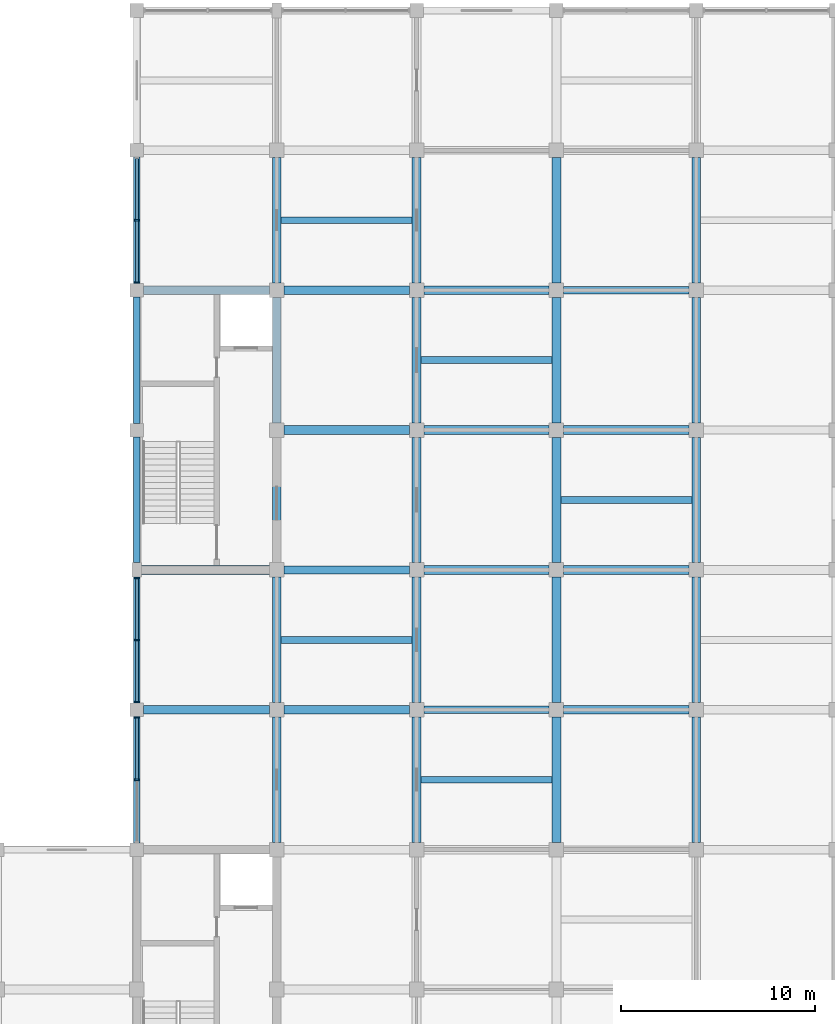
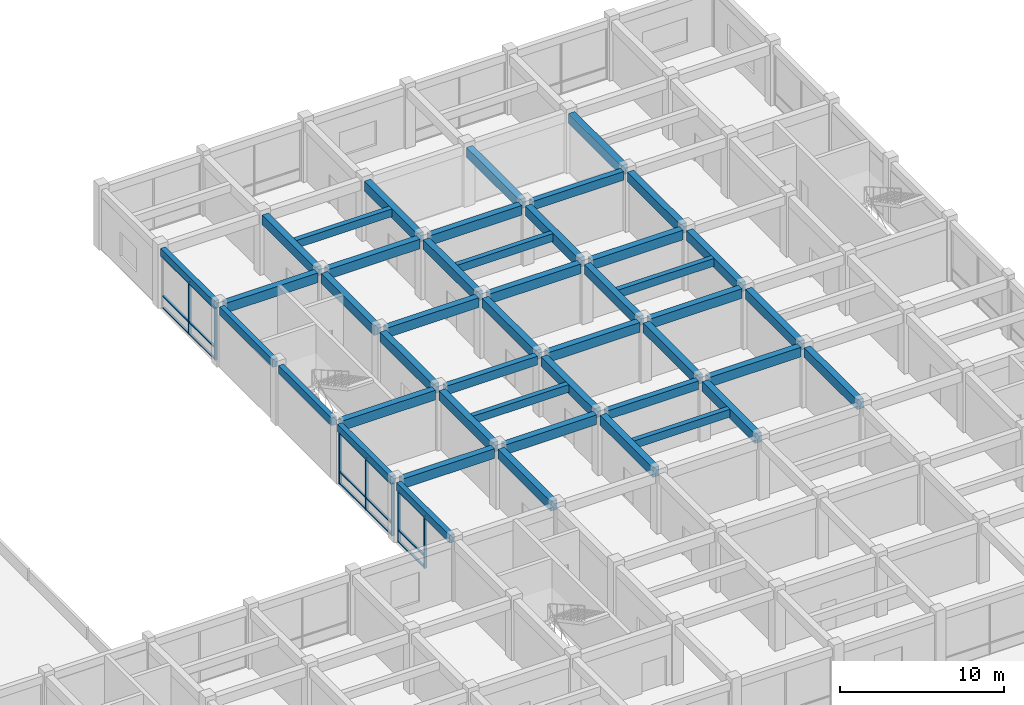
# One storey, part 9 of 30: 45 beams, 22 members, 3 elements without a shape of their own.
"""IFC4 building model written with IfcOpenShell, lengths in metres."""

from ifc_helpers import new_model, si_unit, direction, frame, origin, origin_2d, place, context, subcontext, project, spatial, rectangle, extrude, material, layer, layer_set, material_profile, profile_set, type_object, element, aggregate, save


model = new_model("IFC4")

# Units and contexts
model_context = context("Model", 3, precision=1e-05, world=origin(), true_north=direction((0.0, 1.0)))
body_context = subcontext(model_context, "Body", "Model", "MODEL_VIEW")
ifc_project = project(units=[si_unit("LENGTHUNIT", "METRE"), si_unit("AREAUNIT", "SQUARE_METRE"), si_unit("VOLUMEUNIT", "CUBIC_METRE"), si_unit("PLANEANGLEUNIT", "RADIAN"), si_unit("MASSUNIT", "GRAM", prefix="KILO")], contexts=[model_context])

# Site, building, storey
site_placement = place(None, origin())
site = spatial("IfcSite", under=ifc_project, at=site_placement, CompositionType="ELEMENT")
building_placement = place(site_placement, origin())
building = spatial("IfcBuilding", under=site, at=building_placement, Name="Cendaluz Park School", CompositionType="ELEMENT")
storey_placement = place(building_placement, frame((0.0, 0.0, 9.60009765625)))
storey = spatial("IfcBuildingStorey", under=building, at=storey_placement, Name="L02", CompositionType="ELEMENT", Elevation=9.60009765625)

# Beams
ifc_material_1 = material(Name="Concrete C40/50", Category="concrete")
ifc_material_profile_1 = material_profile(ifc_material_1, rectangle(XDim=0.449951171875, YDim=0.719970703125, at=origin_2d()), Name="RC 450x720", Category="concrete")
ifc_profile_set_1 = profile_set([ifc_material_profile_1], Name="Concrete C40/50")
beam_type_1 = type_object("IfcBeamType", Name="BM-RC02", PredefinedType="BEAM", material=ifc_profile_set_1)
beam_1_placement = place(storey_placement, frame((65.14990234375, 36.0, 4.099853515625), z_axis=(1.0, 0.0, 0.0), x_axis=(0.0, 1.0, 0.0)))
element("IfcBeam", 1, at=beam_1_placement, inside=storey, type_object=beam_type_1, Name="BM-L02-BMRC02-0039", PredefinedType="BEAM", context=body_context, shape_type="SweptSolid", body=[
    extrude(rectangle(XDim=0.449951171875, YDim=0.719970703125, at=origin_2d()), origin(), (0.0, 0.0, 1.0), 6.47509765625),
])
beam_2_placement = place(storey_placement, frame((65.050048828125, 43.199951171875, 4.099853515625), z_axis=(1.0, 0.0, 0.0), x_axis=(0.0, 1.0, 0.0)))
element("IfcBeam", 2, at=beam_2_placement, inside=storey, type_object=beam_type_1, Name="BM-L02-BMRC02-0040", PredefinedType="BEAM", context=body_context, shape_type="SweptSolid", body=[
    extrude(rectangle(XDim=0.449951171875, YDim=0.719970703125, at=origin_2d()), origin(), (0.0, 0.0, 1.0), 6.574951171875),
])
beam_3_placement = place(storey_placement, frame((65.14990234375, 57.60009765625, 4.099853515625), z_axis=(1.0, 0.0, 0.0), x_axis=(0.0, 1.0, 0.0)))
element("IfcBeam", 3, at=beam_3_placement, inside=storey, type_object=beam_type_1, Name="BM-L02-BMRC02-0041", PredefinedType="BEAM", context=body_context, shape_type="SweptSolid", body=[
    extrude(rectangle(XDim=0.449951171875, YDim=0.719970703125, at=origin_2d()), origin(), (0.0, 0.0, 1.0), 6.47509765625),
])
for number, where, z_axis, x_axis, name in (
    (4, (72.375, 36.0, 4.099853515625), (1.0, 0.0, 0.0), (0.0, 1.0, 0.0), "BM-L02-BMRC02-0048"),
    (5, (72.375, 50.39990234375, 4.099853515625), (1.0, 0.0, 0.0), (0.0, 1.0, 0.0), "BM-L02-BMRC02-0050"),
    (6, (72.375, 57.60009765625, 4.099853515625), (1.0, 0.0, 0.0), (0.0, 1.0, 0.0), "BM-L02-BMRC02-0051"),
    (7, (79.574951171875, 43.199951171875, 4.099853515625), (1.0, 0.0, 0.0), (0.0, 1.0, 0.0), "BM-L02-BMRC02-0059"),
    (8, (79.574951171875, 50.39990234375, 4.099853515625), (1.0, 0.0, 0.0), (0.0, 1.0, 0.0), "BM-L02-BMRC02-0060"),
    (9, (79.574951171875, 57.60009765625, 4.099853515625), (1.0, 0.0, 0.0), (0.0, 1.0, 0.0), "BM-L02-BMRC02-0061"),
):
    element("IfcBeam", number, at=place(storey_placement, frame(where, z_axis=z_axis, x_axis=x_axis)), inside=storey, type_object=beam_type_1, Name=name, PredefinedType="BEAM", context=body_context, shape_type="SweptSolid", body=[
        extrude(rectangle(XDim=0.449951171875, YDim=0.719970703125, at=origin_2d()), origin(), (0.0, 0.0, 1.0), 6.449951171875),
    ])
for number, where, z_axis, x_axis, name in (
    (10, (86.77490234375, 36.0, 4.099853515625), (1.0, 0.0, 0.0), (0.0, 1.0, 0.0), "BM-L02-BMRC02-0068"),
    (11, (86.77490234375, 43.199951171875, 4.099853515625), (1.0, 0.0, 0.0), (0.0, 1.0, 0.0), "BM-L02-BMRC02-0069"),
    (12, (86.77490234375, 50.39990234375, 4.099853515625), (1.0, 0.0, 0.0), (0.0, 1.0, 0.0), "BM-L02-BMRC02-0070"),
):
    element("IfcBeam", number, at=place(storey_placement, frame(where, z_axis=z_axis, x_axis=x_axis)), inside=storey, type_object=beam_type_1, Name=name, PredefinedType="BEAM", context=body_context, shape_type="SweptSolid", body=[
        extrude(rectangle(XDim=0.449951171875, YDim=0.719970703125, at=origin_2d()), origin(), (0.0, 0.0, 1.0), 6.4501953125),
    ])
for number, where, z_axis, x_axis, name in (
    (13, (72.0, 29.175048828125, 4.099853515625), (0.0, 1.0, 0.0), (-1.0, 0.0, 0.0), "BM-L02-BMRC02-0166"),
    (14, (72.0, 36.375, 4.099853515625), (0.0, 1.0, 0.0), (-1.0, 0.0, 0.0), "BM-L02-BMRC02-0167"),
    (15, (72.0, 43.574951171875, 4.099853515625), (0.0, 1.0, 0.0), (-1.0, 0.0, 0.0), "BM-L02-BMRC02-0168"),
):
    element("IfcBeam", number, at=place(storey_placement, frame(where, z_axis=z_axis, x_axis=x_axis)), inside=storey, type_object=beam_type_1, Name=name, PredefinedType="BEAM", context=body_context, shape_type="SweptSolid", body=[
        extrude(rectangle(XDim=0.449951171875, YDim=0.719970703125, at=origin_2d()), origin(), (0.0, 0.0, 1.0), 6.449951171875),
    ])
beam_4_placement = place(storey_placement, frame((72.0, 50.77490234375, 4.099853515625), z_axis=(0.0, 1.0, 0.0), x_axis=(-1.0, 0.0, 0.0)))
element("IfcBeam", 16, at=beam_4_placement, inside=storey, type_object=beam_type_1, Name="BM-L02-BMRC02-0169", PredefinedType="BEAM", context=body_context, shape_type="SweptSolid", body=[
    extrude(rectangle(XDim=0.449951171875, YDim=0.719970703125, at=origin_2d()), origin(), (0.0, 0.0, 1.0), 6.4501953125),
])
for number, where, z_axis, x_axis, name in (
    (17, (72.0, 57.97509765625, 4.099853515625), (0.0, 1.0, 0.0), (-1.0, 0.0, 0.0), "BM-L02-BMRC02-0170"),
    (18, (79.199951171875, 29.175048828125, 4.099853515625), (0.0, 1.0, 0.0), (-1.0, 0.0, 0.0), "BM-L02-BMRC02-0175"),
    (19, (79.199951171875, 36.375, 4.099853515625), (0.0, 1.0, 0.0), (-1.0, 0.0, 0.0), "BM-L02-BMRC02-0176"),
    (20, (79.199951171875, 43.574951171875, 4.099853515625), (0.0, 1.0, 0.0), (-1.0, 0.0, 0.0), "BM-L02-BMRC02-0177"),
):
    element("IfcBeam", number, at=place(storey_placement, frame(where, z_axis=z_axis, x_axis=x_axis)), inside=storey, type_object=beam_type_1, Name=name, PredefinedType="BEAM", context=body_context, shape_type="SweptSolid", body=[
        extrude(rectangle(XDim=0.449951171875, YDim=0.719970703125, at=origin_2d()), origin(), (0.0, 0.0, 1.0), 6.449951171875),
    ])
beam_5_placement = place(storey_placement, frame((79.199951171875, 50.77490234375, 4.099853515625), z_axis=(0.0, 1.0, 0.0), x_axis=(-1.0, 0.0, 0.0)))
element("IfcBeam", 21, at=beam_5_placement, inside=storey, type_object=beam_type_1, Name="BM-L02-BMRC02-0178", PredefinedType="BEAM", context=body_context, shape_type="SweptSolid", body=[
    extrude(rectangle(XDim=0.449951171875, YDim=0.719970703125, at=origin_2d()), origin(), (0.0, 0.0, 1.0), 6.4501953125),
])
for number, where, z_axis, x_axis, name in (
    (22, (79.199951171875, 57.97509765625, 4.099853515625), (0.0, 1.0, 0.0), (-1.0, 0.0, 0.0), "BM-L02-BMRC02-0179"),
    (23, (86.39990234375, 29.175048828125, 4.099853515625), (0.0, 1.0, 0.0), (-1.0, 0.0, 0.0), "BM-L02-BMRC02-0184"),
    (24, (86.39990234375, 36.375, 4.099853515625), (0.0, 1.0, 0.0), (-1.0, 0.0, 0.0), "BM-L02-BMRC02-0185"),
    (25, (86.39990234375, 43.574951171875, 4.099853515625), (0.0, 1.0, 0.0), (-1.0, 0.0, 0.0), "BM-L02-BMRC02-0186"),
):
    element("IfcBeam", number, at=place(storey_placement, frame(where, z_axis=z_axis, x_axis=x_axis)), inside=storey, type_object=beam_type_1, Name=name, PredefinedType="BEAM", context=body_context, shape_type="SweptSolid", body=[
        extrude(rectangle(XDim=0.449951171875, YDim=0.719970703125, at=origin_2d()), origin(), (0.0, 0.0, 1.0), 6.449951171875),
    ])
beam_6_placement = place(storey_placement, frame((86.39990234375, 50.77490234375, 4.099853515625), z_axis=(0.0, 1.0, 0.0), x_axis=(-1.0, 0.0, 0.0)))
element("IfcBeam", 26, at=beam_6_placement, inside=storey, type_object=beam_type_1, Name="BM-L02-BMRC02-0187", PredefinedType="BEAM", context=body_context, shape_type="SweptSolid", body=[
    extrude(rectangle(XDim=0.449951171875, YDim=0.719970703125, at=origin_2d()), origin(), (0.0, 0.0, 1.0), 6.4501953125),
])
for number, where, z_axis, x_axis, name in (
    (27, (86.39990234375, 57.97509765625, 4.099853515625), (0.0, 1.0, 0.0), (-1.0, 0.0, 0.0), "BM-L02-BMRC02-0188"),
    (28, (93.60009765625, 29.175048828125, 4.099853515625), (0.0, 1.0, 0.0), (-1.0, 0.0, 0.0), "BM-L02-BMRC02-0193"),
    (29, (93.60009765625, 36.375, 4.099853515625), (0.0, 1.0, 0.0), (-1.0, 0.0, 0.0), "BM-L02-BMRC02-0194"),
    (30, (93.60009765625, 43.574951171875, 4.099853515625), (0.0, 1.0, 0.0), (-1.0, 0.0, 0.0), "BM-L02-BMRC02-0195"),
):
    element("IfcBeam", number, at=place(storey_placement, frame(where, z_axis=z_axis, x_axis=x_axis)), inside=storey, type_object=beam_type_1, Name=name, PredefinedType="BEAM", context=body_context, shape_type="SweptSolid", body=[
        extrude(rectangle(XDim=0.449951171875, YDim=0.719970703125, at=origin_2d()), origin(), (0.0, 0.0, 1.0), 6.449951171875),
    ])
beam_7_placement = place(storey_placement, frame((93.60009765625, 50.77490234375, 4.099853515625), z_axis=(0.0, 1.0, 0.0), x_axis=(-1.0, 0.0, 0.0)))
element("IfcBeam", 31, at=beam_7_placement, inside=storey, type_object=beam_type_1, Name="BM-L02-BMRC02-0196", PredefinedType="BEAM", context=body_context, shape_type="SweptSolid", body=[
    extrude(rectangle(XDim=0.449951171875, YDim=0.719970703125, at=origin_2d()), origin(), (0.0, 0.0, 1.0), 6.4501953125),
])
beam_8_placement = place(storey_placement, frame((93.60009765625, 57.97509765625, 4.099853515625), z_axis=(0.0, 1.0, 0.0), x_axis=(-1.0, 0.0, 0.0)))
element("IfcBeam", 32, at=beam_8_placement, inside=storey, type_object=beam_type_1, Name="BM-L02-BMRC02-0197", PredefinedType="BEAM", context=body_context, shape_type="SweptSolid", body=[
    extrude(rectangle(XDim=0.449951171875, YDim=0.719970703125, at=origin_2d()), origin(), (0.0, 0.0, 1.0), 6.449951171875),
])
ifc_material_profile_2 = material_profile(ifc_material_1, rectangle(XDim=0.39990234375, YDim=0.64990234375, at=origin_2d()), Name="RC 400x650", Category="concrete")
ifc_profile_set_2 = profile_set([ifc_material_profile_2], Name="Concrete C40/50")
beam_type_2 = type_object("IfcBeamType", Name="BM-RC03", PredefinedType="T_BEAM", material=ifc_profile_set_2)
for number, where, z_axis, x_axis, name in (
    (33, (72.375, 43.199951171875, 4.135009765625), (1.0, 0.0, 0.0), (0.0, 1.0, 0.0), "BM-L02-BMRC03-0049"),
    (34, (79.574951171875, 36.0, 4.135009765625), (1.0, 0.0, 0.0), (0.0, 1.0, 0.0), "BM-L02-BMRC03-0058"),
):
    element("IfcBeam", number, at=place(storey_placement, frame(where, z_axis=z_axis, x_axis=x_axis)), inside=storey, type_object=beam_type_2, Name=name, PredefinedType="T_BEAM", context=body_context, shape_type="SweptSolid", body=[
        extrude(rectangle(XDim=0.39990234375, YDim=0.64990234375, at=origin_2d()), origin(), (0.0, 0.0, 1.0), 6.449951171875),
    ])
beam_9_placement = place(storey_placement, frame((86.77490234375, 57.60009765625, 4.135009765625), z_axis=(1.0, 0.0, 0.0), x_axis=(0.0, 1.0, 0.0)))
element("IfcBeam", 35, at=beam_9_placement, inside=storey, type_object=beam_type_2, Name="BM-L02-BMRC03-0071", PredefinedType="T_BEAM", context=body_context, shape_type="SweptSolid", body=[
    extrude(rectangle(XDim=0.39990234375, YDim=0.64990234375, at=origin_2d()), origin(), (0.0, 0.0, 1.0), 6.4501953125),
])
ifc_material_profile_3 = material_profile(ifc_material_1, rectangle(XDim=0.35009765625, YDim=0.580078125, at=origin_2d()), Name="RC 350x580", Category="concrete")
ifc_profile_set_3 = profile_set([ifc_material_profile_3], Name="Concrete C40/50")
beam_type_3 = type_object("IfcBeamType", Name="BM-RC04", PredefinedType="LINTEL", material=ifc_profile_set_3)
beam_10_placement = place(storey_placement, frame((64.800048828125, 29.14990234375, 4.169921875), z_axis=(0.0, 1.0, 0.0), x_axis=(-1.0, 0.0, 0.0)))
element("IfcBeam", 36, at=beam_10_placement, inside=storey, type_object=beam_type_3, Name="BM-L02-BMRC04-0157", PredefinedType="LINTEL", context=body_context, shape_type="SweptSolid", body=[
    extrude(rectangle(XDim=0.35009765625, YDim=0.580078125, at=origin_2d()), origin(), (0.0, 0.0, 1.0), 6.5),
])
beam_11_placement = place(storey_placement, frame((64.800048828125, 36.35009765625, 4.169921875), z_axis=(0.0, 1.0, 0.0), x_axis=(-1.0, 0.0, 0.0)))
element("IfcBeam", 37, at=beam_11_placement, inside=storey, type_object=beam_type_3, Name="BM-L02-BMRC04-0158", PredefinedType="LINTEL", context=body_context, shape_type="SweptSolid", body=[
    extrude(rectangle(XDim=0.35009765625, YDim=0.580078125, at=origin_2d()), origin(), (0.0, 0.0, 1.0), 6.474853515625),
])
beam_12_placement = place(storey_placement, frame((64.800048828125, 43.574951171875, 4.169921875), z_axis=(0.0, 1.0, 0.0), x_axis=(-1.0, 0.0, 0.0)))
element("IfcBeam", 38, at=beam_12_placement, inside=storey, type_object=beam_type_3, Name="BM-L02-BMRC04-0159", PredefinedType="LINTEL", context=body_context, shape_type="SweptSolid", body=[
    extrude(rectangle(XDim=0.35009765625, YDim=0.580078125, at=origin_2d()), origin(), (0.0, 0.0, 1.0), 6.47509765625),
])
for number, where, z_axis, x_axis, name in (
    (39, (64.800048828125, 50.75, 4.169921875), (0.0, 1.0, 0.0), (-1.0, 0.0, 0.0), "BM-L02-BMRC04-0160"),
    (40, (64.800048828125, 57.949951171875, 4.169921875), (0.0, 1.0, 0.0), (-1.0, 0.0, 0.0), "BM-L02-BMRC04-0161"),
):
    element("IfcBeam", number, at=place(storey_placement, frame(where, z_axis=z_axis, x_axis=x_axis)), inside=storey, type_object=beam_type_3, Name=name, PredefinedType="LINTEL", context=body_context, shape_type="SweptSolid", body=[
        extrude(rectangle(XDim=0.35009765625, YDim=0.580078125, at=origin_2d()), origin(), (0.0, 0.0, 1.0), 6.5),
    ])

# Curtain wall, members
ifc_material_2 = material(Name="Anodised Aluminium 6063-T6", Category="aluminium")
ifc_layer = layer(ifc_material_2, 0.179931640625)
ifc_layer_set = layer_set([ifc_layer], Name="Anodised Aluminium 6063-T6")
curtain_wall_type = type_object("IfcCurtainWallType", Name="CW-130x78", PredefinedType="NOTDEFINED", material=ifc_layer_set)
curtain_wall_1_placement = place(storey_placement, origin())
curtain_wall_1 = element("IfcCurtainWall", 41, at=curtain_wall_1_placement, inside=storey, type_object=curtain_wall_type, Name="CW-L02-105", PredefinedType="NOTDEFINED")
ifc_material_profile_4 = material_profile(ifc_material_2, rectangle(XDim=0.199951171875, YDim=0.080078125, at=origin_2d()), Name="CWM 200x80", Category="aluminium")
ifc_profile_set_4 = profile_set([ifc_material_profile_4], Name="Anodised Aluminium 6063-T6")
member_type_1 = type_object("IfcMemberType", Name="CWM-02", PredefinedType="MULLION", material=ifc_profile_set_4)
member_1_placement = place(storey_placement, frame((64.800048828125, 32.39990234375, 0.0), z_axis=(0.0, 0.0, 1.0), x_axis=(-1.0, 0.0, 0.0)))
member_1 = element("IfcMember", 42, at=member_1_placement, type_object=member_type_1, Name="CP-L02-1354", PredefinedType="MULLION", context=body_context, shape_type="SweptSolid", body=[
    extrude(rectangle(XDim=0.199951171875, YDim=0.080078125, at=origin_2d()), origin(), (0.0, 0.0, 1.0), 3.8798828125),
])
member_2_placement = place(storey_placement, frame((64.800048828125, 35.610107421875, 0.0), z_axis=(0.0, 0.0, 1.0), x_axis=(-1.0, 0.0, 0.0)))
member_2 = element("IfcMember", 43, at=member_2_placement, type_object=member_type_1, Name="CP-L02-1355", PredefinedType="MULLION", context=body_context, shape_type="SweptSolid", body=[
    extrude(rectangle(XDim=0.199951171875, YDim=0.080078125, at=origin_2d()), origin(), (0.0, 0.0, 1.0), 3.8798828125),
])

curtain_wall_2_placement = place(storey_placement, origin())
curtain_wall_2 = element("IfcCurtainWall", 44, at=curtain_wall_2_placement, inside=storey, type_object=curtain_wall_type, Name="CW-L02-106", PredefinedType="NOTDEFINED")
member_3_placement = place(storey_placement, frame((64.800048828125, 36.389892578125, 0.0), z_axis=(0.0, 0.0, 1.0), x_axis=(-1.0, 0.0, 0.0)))
member_3 = element("IfcMember", 45, at=member_3_placement, type_object=member_type_1, Name="CP-L02-1366", PredefinedType="MULLION", context=body_context, shape_type="SweptSolid", body=[
    extrude(rectangle(XDim=0.199951171875, YDim=0.080078125, at=origin_2d()), origin(), (0.0, 0.0, 1.0), 3.8798828125),
])
member_4_placement = place(storey_placement, frame((64.800048828125, 39.58740234375, 0.0), z_axis=(0.0, 0.0, 1.0), x_axis=(-1.0, 0.0, 0.0)))
member_4 = element("IfcMember", 46, at=member_4_placement, type_object=member_type_1, Name="CP-L02-1367", PredefinedType="MULLION", context=body_context, shape_type="SweptSolid", body=[
    extrude(rectangle(XDim=0.199951171875, YDim=0.080078125, at=origin_2d()), origin(), (0.0, 0.0, 1.0), 3.8798828125),
])
member_5_placement = place(storey_placement, frame((64.800048828125, 42.784912109375, 0.0), z_axis=(0.0, 0.0, 1.0), x_axis=(-1.0, 0.0, 0.0)))
member_5 = element("IfcMember", 47, at=member_5_placement, type_object=member_type_1, Name="CP-L02-1368", PredefinedType="MULLION", context=body_context, shape_type="SweptSolid", body=[
    extrude(rectangle(XDim=0.199951171875, YDim=0.080078125, at=origin_2d()), origin(), (0.0, 0.0, 1.0), 3.8798828125),
])

curtain_wall_3_placement = place(storey_placement, origin())
curtain_wall_3 = element("IfcCurtainWall", 48, at=curtain_wall_3_placement, inside=storey, type_object=curtain_wall_type, Name="CW-L02-107", PredefinedType="NOTDEFINED")
member_6_placement = place(storey_placement, frame((64.800048828125, 57.989990234375, 0.0), z_axis=(0.0, 0.0, 1.0), x_axis=(-1.0, 0.0, 0.0)))
member_6 = element("IfcMember", 49, at=member_6_placement, type_object=member_type_1, Name="CP-L02-1379", PredefinedType="MULLION", context=body_context, shape_type="SweptSolid", body=[
    extrude(rectangle(XDim=0.199951171875, YDim=0.080078125, at=origin_2d()), origin(), (0.0, 0.0, 1.0), 3.8798828125),
])
member_7_placement = place(storey_placement, frame((64.800048828125, 61.199951171875, 0.0), z_axis=(0.0, 0.0, 1.0), x_axis=(-1.0, 0.0, 0.0)))
member_7 = element("IfcMember", 50, at=member_7_placement, type_object=member_type_1, Name="CP-L02-1380", PredefinedType="MULLION", context=body_context, shape_type="SweptSolid", body=[
    extrude(rectangle(XDim=0.199951171875, YDim=0.080078125, at=origin_2d()), origin(), (0.0, 0.0, 1.0), 3.8798828125),
])

# Member
ifc_material_profile_5 = material_profile(ifc_material_2, rectangle(XDim=0.14990234375, YDim=0.080078125, at=origin_2d()), Name="CWT 150x80", Category="aluminium")
ifc_profile_set_5 = profile_set([ifc_material_profile_5], Name="Anodised Aluminium 6063-T6")
member_type_2 = type_object("IfcMemberType", Name="CWT-02", PredefinedType="USERDEFINED", material=ifc_profile_set_5)
member_8_placement = place(storey_placement, frame((64.800048828125, 32.43994140625, 0.039794921875), z_axis=(0.0, 1.0, 0.0), x_axis=(-1.0, 0.0, 0.0)))
member_8 = element("IfcMember", 51, at=member_8_placement, type_object=member_type_2, Name="CP-L02-1361", ObjectType="TRANSOM", PredefinedType="USERDEFINED", context=body_context, shape_type="SweptSolid", body=[
    extrude(rectangle(XDim=0.14990234375, YDim=0.080078125, at=origin_2d()), origin(), (0.0, 0.0, 1.0), 3.130126953125),
])

member_9_placement = place(storey_placement, frame((64.800048828125, 32.43994140625, 0.89990234375), z_axis=(0.0, 1.0, 0.0), x_axis=(-1.0, 0.0, 0.0)))
member_9 = element("IfcMember", 52, at=member_9_placement, type_object=member_type_2, Name="CP-L02-1362", ObjectType="TRANSOM", PredefinedType="USERDEFINED", context=body_context, shape_type="SweptSolid", body=[
    extrude(rectangle(XDim=0.14990234375, YDim=0.080078125, at=origin_2d()), origin(), (0.0, 0.0, 1.0), 3.130126953125),
])

member_10_placement = place(storey_placement, frame((64.800048828125, 32.43994140625, 3.83984375), z_axis=(0.0, 1.0, 0.0), x_axis=(-1.0, 0.0, 0.0)))
member_10 = element("IfcMember", 53, at=member_10_placement, type_object=member_type_2, Name="CP-L02-1363", ObjectType="TRANSOM", PredefinedType="USERDEFINED", context=body_context, shape_type="SweptSolid", body=[
    extrude(rectangle(XDim=0.14990234375, YDim=0.080078125, at=origin_2d()), origin(), (0.0, 0.0, 1.0), 3.130126953125),
])

aggregate(curtain_wall_1, [member_1, member_2, member_8, member_9, member_10])

member_11_placement = place(storey_placement, frame((64.800048828125, 36.429931640625, 0.039794921875), z_axis=(0.0, 1.0, 0.0), x_axis=(-1.0, 0.0, 0.0)))
member_11 = element("IfcMember", 54, at=member_11_placement, type_object=member_type_2, Name="CP-L02-1369", ObjectType="TRANSOM", PredefinedType="USERDEFINED", context=body_context, shape_type="SweptSolid", body=[
    extrude(rectangle(XDim=0.14990234375, YDim=0.080078125, at=origin_2d()), origin(), (0.0, 0.0, 1.0), 3.11767578125),
])

member_12_placement = place(storey_placement, frame((64.800048828125, 36.429931640625, 0.89990234375), z_axis=(0.0, 1.0, 0.0), x_axis=(-1.0, 0.0, 0.0)))
member_12 = element("IfcMember", 55, at=member_12_placement, type_object=member_type_2, Name="CP-L02-1370", ObjectType="TRANSOM", PredefinedType="USERDEFINED", context=body_context, shape_type="SweptSolid", body=[
    extrude(rectangle(XDim=0.14990234375, YDim=0.080078125, at=origin_2d()), origin(), (0.0, 0.0, 1.0), 3.11767578125),
])

member_13_placement = place(storey_placement, frame((64.800048828125, 36.429931640625, 3.83984375), z_axis=(0.0, 1.0, 0.0), x_axis=(-1.0, 0.0, 0.0)))
member_13 = element("IfcMember", 56, at=member_13_placement, type_object=member_type_2, Name="CP-L02-1371", ObjectType="TRANSOM", PredefinedType="USERDEFINED", context=body_context, shape_type="SweptSolid", body=[
    extrude(rectangle(XDim=0.14990234375, YDim=0.080078125, at=origin_2d()), origin(), (0.0, 0.0, 1.0), 3.11767578125),
])

member_14_placement = place(storey_placement, frame((64.800048828125, 39.62744140625, 0.039794921875), z_axis=(0.0, 1.0, 0.0), x_axis=(-1.0, 0.0, 0.0)))
member_14 = element("IfcMember", 57, at=member_14_placement, type_object=member_type_2, Name="CP-L02-1374", ObjectType="TRANSOM", PredefinedType="USERDEFINED", context=body_context, shape_type="SweptSolid", body=[
    extrude(rectangle(XDim=0.14990234375, YDim=0.080078125, at=origin_2d()), origin(), (0.0, 0.0, 1.0), 3.11767578125),
])

member_15_placement = place(storey_placement, frame((64.800048828125, 39.62744140625, 0.89990234375), z_axis=(0.0, 1.0, 0.0), x_axis=(-1.0, 0.0, 0.0)))
member_15 = element("IfcMember", 58, at=member_15_placement, type_object=member_type_2, Name="CP-L02-1375", ObjectType="TRANSOM", PredefinedType="USERDEFINED", context=body_context, shape_type="SweptSolid", body=[
    extrude(rectangle(XDim=0.14990234375, YDim=0.080078125, at=origin_2d()), origin(), (0.0, 0.0, 1.0), 3.11767578125),
])

member_16_placement = place(storey_placement, frame((64.800048828125, 39.62744140625, 3.83984375), z_axis=(0.0, 1.0, 0.0), x_axis=(-1.0, 0.0, 0.0)))
member_16 = element("IfcMember", 59, at=member_16_placement, type_object=member_type_2, Name="CP-L02-1376", ObjectType="TRANSOM", PredefinedType="USERDEFINED", context=body_context, shape_type="SweptSolid", body=[
    extrude(rectangle(XDim=0.14990234375, YDim=0.080078125, at=origin_2d()), origin(), (0.0, 0.0, 1.0), 3.11767578125),
])

aggregate(curtain_wall_2, [member_3, member_4, member_5, member_11, member_12, member_13, member_14, member_15, member_16])

member_17_placement = place(storey_placement, frame((64.800048828125, 58.030029296875, 0.039794921875), z_axis=(0.0, 1.0, 0.0), x_axis=(-1.0, 0.0, 0.0)))
member_17 = element("IfcMember", 60, at=member_17_placement, type_object=member_type_2, Name="CP-L02-1382", ObjectType="TRANSOM", PredefinedType="USERDEFINED", context=body_context, shape_type="SweptSolid", body=[
    extrude(rectangle(XDim=0.14990234375, YDim=0.080078125, at=origin_2d()), origin(), (0.0, 0.0, 1.0), 3.1298828125),
])

member_18_placement = place(storey_placement, frame((64.800048828125, 58.030029296875, 0.89990234375), z_axis=(0.0, 1.0, 0.0), x_axis=(-1.0, 0.0, 0.0)))
member_18 = element("IfcMember", 61, at=member_18_placement, type_object=member_type_2, Name="CP-L02-1383", ObjectType="TRANSOM", PredefinedType="USERDEFINED", context=body_context, shape_type="SweptSolid", body=[
    extrude(rectangle(XDim=0.14990234375, YDim=0.080078125, at=origin_2d()), origin(), (0.0, 0.0, 1.0), 3.1298828125),
])

member_19_placement = place(storey_placement, frame((64.800048828125, 58.030029296875, 3.83984375), z_axis=(0.0, 1.0, 0.0), x_axis=(-1.0, 0.0, 0.0)))
member_19 = element("IfcMember", 62, at=member_19_placement, type_object=member_type_2, Name="CP-L02-1384", ObjectType="TRANSOM", PredefinedType="USERDEFINED", context=body_context, shape_type="SweptSolid", body=[
    extrude(rectangle(XDim=0.14990234375, YDim=0.080078125, at=origin_2d()), origin(), (0.0, 0.0, 1.0), 3.1298828125),
])

member_20_placement = place(storey_placement, frame((64.800048828125, 61.239990234375, 0.039794921875), z_axis=(0.0, 1.0, 0.0), x_axis=(-1.0, 0.0, 0.0)))
member_20 = element("IfcMember", 63, at=member_20_placement, type_object=member_type_2, Name="CP-L02-1387", ObjectType="TRANSOM", PredefinedType="USERDEFINED", context=body_context, shape_type="SweptSolid", body=[
    extrude(rectangle(XDim=0.14990234375, YDim=0.080078125, at=origin_2d()), origin(), (0.0, 0.0, 1.0), 3.130126953125),
])

member_21_placement = place(storey_placement, frame((64.800048828125, 61.239990234375, 0.89990234375), z_axis=(0.0, 1.0, 0.0), x_axis=(-1.0, 0.0, 0.0)))
member_21 = element("IfcMember", 64, at=member_21_placement, type_object=member_type_2, Name="CP-L02-1388", ObjectType="TRANSOM", PredefinedType="USERDEFINED", context=body_context, shape_type="SweptSolid", body=[
    extrude(rectangle(XDim=0.14990234375, YDim=0.080078125, at=origin_2d()), origin(), (0.0, 0.0, 1.0), 3.130126953125),
])

member_22_placement = place(storey_placement, frame((64.800048828125, 61.239990234375, 3.83984375), z_axis=(0.0, 1.0, 0.0), x_axis=(-1.0, 0.0, 0.0)))
member_22 = element("IfcMember", 65, at=member_22_placement, type_object=member_type_2, Name="CP-L02-1389", ObjectType="TRANSOM", PredefinedType="USERDEFINED", context=body_context, shape_type="SweptSolid", body=[
    extrude(rectangle(XDim=0.14990234375, YDim=0.080078125, at=origin_2d()), origin(), (0.0, 0.0, 1.0), 3.130126953125),
])

aggregate(curtain_wall_3, [member_6, member_7, member_17, member_18, member_19, member_20, member_21, member_22])

# Beams
ifc_material_profile_6 = material_profile(ifc_material_1, rectangle(XDim=0.35009765625, YDim=0.580078125, at=origin_2d()), Name="RC 350x580", Category="concrete")
ifc_profile_set_6 = profile_set([ifc_material_profile_6], Name="Concrete C40/50")
beam_type_4 = type_object("IfcBeamType", Name="JT-RC01", PredefinedType="JOIST", material=ifc_profile_set_6)
for number, where, z_axis, x_axis, name in (
    (66, (72.22509765625, 39.60009765625, 4.169921875), (1.0, 0.0, 0.0), (0.0, 1.0, 0.0), "BM-L02-JTRC01-0255"),
    (67, (72.22509765625, 61.199951171875, 4.169921875), (1.0, 0.0, 0.0), (0.0, 1.0, 0.0), "BM-L02-JTRC01-0256"),
    (68, (79.425048828125, 32.39990234375, 4.169921875), (1.0, 0.0, 0.0), (0.0, 1.0, 0.0), "BM-L02-JTRC01-0258"),
    (69, (79.425048828125, 54.0, 4.169921875), (1.0, 0.0, 0.0), (0.0, 1.0, 0.0), "BM-L02-JTRC01-0259"),
    (70, (86.625, 46.800048828125, 4.169921875), (1.0, 0.0, 0.0), (0.0, 1.0, 0.0), "BM-L02-JTRC01-0261"),
):
    element("IfcBeam", number, at=place(storey_placement, frame(where, z_axis=z_axis, x_axis=x_axis)), inside=storey, type_object=beam_type_4, Name=name, PredefinedType="JOIST", context=body_context, shape_type="SweptSolid", body=[
        extrude(rectangle(XDim=0.35009765625, YDim=0.580078125, at=origin_2d()), origin(), (0.0, 0.0, 1.0), 6.75),
    ])

save(model, "model.ifc")
